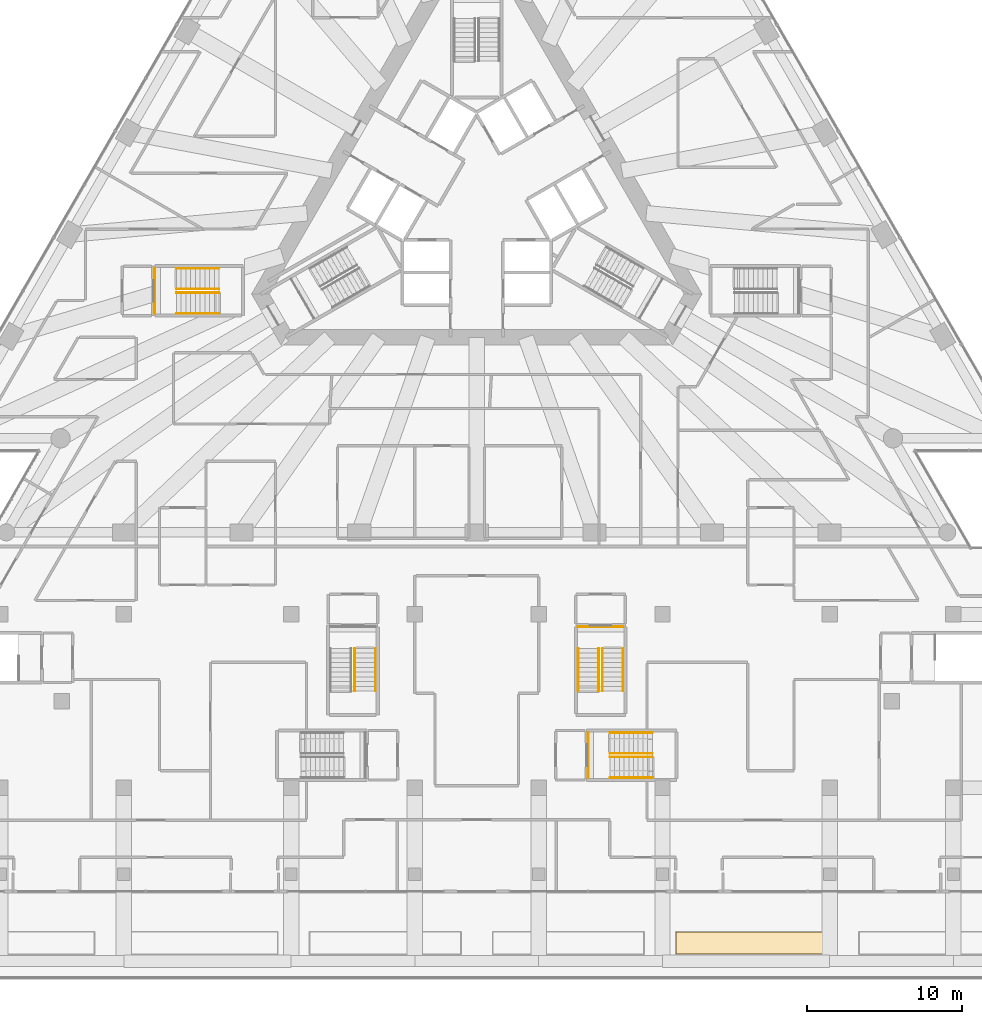
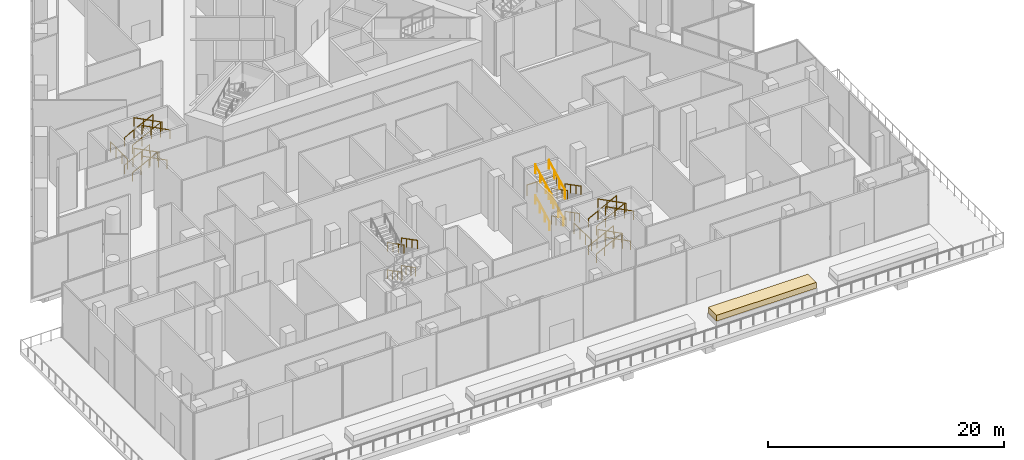
# One storey, part 34 of 36: 31 railings, 1 covering, 4 elements without a shape of their own.
"""IFC4 building model written with IfcOpenShell, lengths in metres."""

from ifc_helpers import new_model, si_unit, direction, frame, origin, origin_2d, place, context, subcontext, project, spatial, polyline, circle, outline, extrude, material, layer, layer_set, type_object, element, aggregate, save


model = new_model("IFC4")

# Units and contexts
model_context = context("Model", 3, precision=1e-05, world=origin(), true_north=direction((0.0, 1.0)))
body_context = subcontext(model_context, "Body", "Model", "MODEL_VIEW")
ifc_project = project(units=[si_unit("LENGTHUNIT", "METRE"), si_unit("AREAUNIT", "SQUARE_METRE"), si_unit("VOLUMEUNIT", "CUBIC_METRE"), si_unit("PLANEANGLEUNIT", "RADIAN"), si_unit("MASSUNIT", "GRAM", prefix="KILO")], contexts=[model_context])

# Site, building, storey
site_placement = place(None, origin())
site = spatial("IfcSite", under=ifc_project, at=site_placement, CompositionType="ELEMENT")
building_placement = place(site_placement, origin())
building = spatial("IfcBuilding", under=site, at=building_placement, Name="Triada Interchange Tower", CompositionType="ELEMENT")
storey_placement = place(building_placement, frame((0.0, 0.0, 8.5)))
storey = spatial("IfcBuildingStorey", under=building, at=storey_placement, Name="L01", CompositionType="ELEMENT", Elevation=8.5)

# Covering
ifc_material_1 = material(Name="Planting soil")
ifc_layer = layer(ifc_material_1, 0.60009765625)
ifc_layer_set = layer_set([ifc_layer], Name="Planting bed 600")
covering_type = type_object("IfcCoveringType", Name="Planting bed 600", PredefinedType="FLOORING", material=ifc_layer_set)
covering_placement = place(storey_placement, frame((0.0, 0.0, 0.449951171875)))
element("IfcCovering", 1, at=covering_placement, inside=storey, type_object=covering_type, Name="Planting bed PLANTER L01 05", PredefinedType="FLOORING", context=body_context, shape_type="SweptSolid", body=[
    extrude(outline(polyline([(12.883056640625, -48.830078125), (22.616943359375, -48.830078125), (22.616943359375, -47.429931640625), (12.883056640625, -47.429931640625), (12.883056640625, -48.830078125)])), origin(), (0.0, 0.0, 1.0), 0.60009765625),
])

# Stair, railing
ifc_material_2 = material(Name="Concrete C35/45", Category="concrete")
stair_type = type_object("IfcStairType", Name="HALF TURN STAIR 1400", PredefinedType="HALF_TURN_STAIR", material=ifc_material_2)
stair_1_placement = place(storey_placement, origin())
stair_1 = element("IfcStair", 2, at=stair_1_placement, inside=storey, type_object=stair_type, Name="Exit stair S01-5", PredefinedType="HALF_TURN_STAIR")
ifc_material_3 = material(Name="Stainless steel 1.4301", Category="steel")
railing_type_1 = type_object("IfcRailingType", Name="STAIR GUARD 1100", PredefinedType="GUARDRAIL", material=ifc_material_3)
railing_1_placement = place(storey_placement, frame((7.199951171875, -34.550048828125, 2.842041015625)))
railing_1 = element("IfcRailing", 3, at=railing_1_placement, type_object=railing_type_1, Name="Guard S01-5 1", PredefinedType="GUARDRAIL", context=body_context, shape_type="SweptSolid", body=[
    extrude(circle(Radius=0.02392578125, at=origin_2d()), frame((0.0, 0.0, 1.076171875), z_axis=(0.0, -1.0, 0.0), x_axis=(1.0, 0.0, 0.0)), (0.0, 0.0, 1.0), 2.89990234375),
    extrude(circle(Radius=0.02099609375, at=origin_2d()), origin(), (0.0, 0.0, 1.0), 1.052001953125),
    extrude(circle(Radius=0.02099609375, at=origin_2d()), frame((0.0, -0.966552734375, 0.0)), (0.0, 0.0, 1.0), 1.052001953125),
    extrude(circle(Radius=0.02099609375, at=origin_2d()), frame((0.0, -1.933349609375, 0.0)), (0.0, 0.0, 1.0), 1.052001953125),
    extrude(circle(Radius=0.02099609375, at=origin_2d()), frame((0.0, -2.89990234375, 0.0)), (0.0, 0.0, 1.0), 1.052001953125),
])

stair_2_placement = place(storey_placement, origin())
stair_2 = element("IfcStair", 4, at=stair_2_placement, inside=storey, type_object=stair_type, Name="Exit stair S01-6", PredefinedType="HALF_TURN_STAIR")
railing_2_placement = place(storey_placement, frame((-20.800048828125, -4.550048828125, 2.842041015625)))
railing_2 = element("IfcRailing", 5, at=railing_2_placement, type_object=railing_type_1, Name="Guard S01-6 1", PredefinedType="GUARDRAIL", context=body_context, shape_type="SweptSolid", body=[
    extrude(circle(Radius=0.02392578125, at=origin_2d()), frame((0.0, 0.0, 1.076171875), z_axis=(0.0, -1.0, 0.0), x_axis=(1.0, 0.0, 0.0)), (0.0, 0.0, 1.0), 2.89990234375),
    extrude(circle(Radius=0.02099609375, at=origin_2d()), origin(), (0.0, 0.0, 1.0), 1.052001953125),
    extrude(circle(Radius=0.02099609375, at=origin_2d()), frame((0.0, -0.966552734375, 0.0)), (0.0, 0.0, 1.0), 1.052001953125),
    extrude(circle(Radius=0.02099609375, at=origin_2d()), frame((0.0, -1.933349609375, 0.0)), (0.0, 0.0, 1.0), 1.052001953125),
    extrude(circle(Radius=0.02099609375, at=origin_2d()), frame((0.0, -2.89990234375, 0.0)), (0.0, 0.0, 1.0), 1.052001953125),
])

stair_3_placement = place(storey_placement, origin())
stair_3 = element("IfcStair", 6, at=stair_3_placement, inside=storey, type_object=stair_type, Name="Exit stair S01-10", PredefinedType="HALF_TURN_STAIR")
railing_3_placement = place(storey_placement, frame((9.449951171875, -27.699951171875, 2.842041015625)))
railing_3 = element("IfcRailing", 7, at=railing_3_placement, type_object=railing_type_1, Name="Guard S01-10 1", PredefinedType="GUARDRAIL", context=body_context, shape_type="SweptSolid", body=[
    extrude(circle(Radius=0.02392578125, at=origin_2d()), frame((0.0, 0.0, 1.076171875), z_axis=(-1.0, 0.0, 0.0), x_axis=(0.0, -1.0, 0.0)), (0.0, 0.0, 1.0), 2.89990234375),
    extrude(circle(Radius=0.02099609375, at=origin_2d()), origin(), (0.0, 0.0, 1.0), 1.052001953125),
    extrude(circle(Radius=0.02099609375, at=origin_2d()), frame((-0.966552734375, 0.0, 0.0)), (0.0, 0.0, 1.0), 1.052001953125),
    extrude(circle(Radius=0.02099609375, at=origin_2d()), frame((-1.933349609375, 0.0, 0.0)), (0.0, 0.0, 1.0), 1.052001953125),
    extrude(circle(Radius=0.02099609375, at=origin_2d()), frame((-2.89990234375, 0.0, 0.0)), (0.0, 0.0, 1.0), 1.052001953125),
])

# Railing
railing_type_2 = type_object("IfcRailingType", Name="STAIR HANDRAIL 900", PredefinedType="HANDRAIL", material=ifc_material_3)
railing_4_placement = place(storey_placement, frame((8.60009765625, -34.550048828125, 0.157958984375)))
railing_4 = element("IfcRailing", 8, at=railing_4_placement, type_object=railing_type_2, Name="Handrail S01-5 1W", PredefinedType="HANDRAIL", context=body_context, shape_type="SweptSolid", body=[
    extrude(circle(Radius=0.02392578125, at=origin_2d()), frame((0.0, 0.0, 0.8759765625), z_axis=(0.888083812785, 0.0, 0.459681565293), x_axis=(0.0, 1.0, 0.0)), (0.0, 0.0, 1.0), 2.747314453125),
    extrude(circle(Radius=0.02099609375, at=origin_2d()), origin(), (0.0, 0.0, 1.0), 0.851806640625),
    extrude(circle(Radius=0.02099609375, at=origin_2d()), frame((0.813232421875, 0.0, 0.4208984375)), (0.0, 0.0, 1.0), 0.851806640625),
    extrude(circle(Radius=0.02099609375, at=origin_2d()), frame((1.626708984375, 0.0, 0.842041015625)), (0.0, 0.0, 1.0), 0.851806640625),
    extrude(circle(Radius=0.02099609375, at=origin_2d()), frame((2.43994140625, 0.0, 1.262939453125)), (0.0, 0.0, 1.0), 0.851806640625),
])

railing_5_placement = place(storey_placement, frame((8.60009765625, -35.8798828125, 0.157958984375)))
railing_5 = element("IfcRailing", 9, at=railing_5_placement, type_object=railing_type_2, Name="Handrail S01-5 1C", PredefinedType="HANDRAIL", context=body_context, shape_type="SweptSolid", body=[
    extrude(circle(Radius=0.02392578125, at=origin_2d()), frame((0.0, 0.0, 0.8759765625), z_axis=(0.888083812785, 0.0, 0.459681565293), x_axis=(0.0, 1.0, 0.0)), (0.0, 0.0, 1.0), 2.747314453125),
    extrude(circle(Radius=0.02099609375, at=origin_2d()), origin(), (0.0, 0.0, 1.0), 0.851806640625),
    extrude(circle(Radius=0.02099609375, at=origin_2d()), frame((0.813232421875, 0.0, 0.4208984375)), (0.0, 0.0, 1.0), 0.851806640625),
    extrude(circle(Radius=0.02099609375, at=origin_2d()), frame((1.626708984375, 0.0, 0.842041015625)), (0.0, 0.0, 1.0), 0.851806640625),
    extrude(circle(Radius=0.02099609375, at=origin_2d()), frame((2.43994140625, 0.0, 1.262939453125)), (0.0, 0.0, 1.0), 0.851806640625),
])

railing_6_placement = place(storey_placement, frame((11.0400390625, -37.449951171875, 1.578857421875)))
railing_6 = element("IfcRailing", 10, at=railing_6_placement, type_object=railing_type_2, Name="Handrail S01-5 2W", PredefinedType="HANDRAIL", context=body_context, shape_type="SweptSolid", body=[
    extrude(circle(Radius=0.02392578125, at=origin_2d()), frame((0.0, 0.0, 0.8759765625), z_axis=(-0.888047534979, 0.0, 0.459751645585), x_axis=(0.0, -1.0, 0.0)), (0.0, 0.0, 1.0), 2.74755859375),
    extrude(circle(Radius=0.02099609375, at=origin_2d()), origin(), (0.0, 0.0, 1.0), 0.851806640625),
    extrude(circle(Radius=0.02099609375, at=origin_2d()), frame((-0.813232421875, 0.0, 0.421142578125)), (0.0, 0.0, 1.0), 0.851806640625),
    extrude(circle(Radius=0.02099609375, at=origin_2d()), frame((-1.626708984375, 0.0, 0.842041015625)), (0.0, 0.0, 1.0), 0.851806640625),
    extrude(circle(Radius=0.02099609375, at=origin_2d()), frame((-2.43994140625, 0.0, 1.26318359375)), (0.0, 0.0, 1.0), 0.851806640625),
])

railing_7_placement = place(storey_placement, frame((11.0400390625, -36.1201171875, 1.578857421875)))
railing_7 = element("IfcRailing", 11, at=railing_7_placement, type_object=railing_type_2, Name="Handrail S01-5 2C", PredefinedType="HANDRAIL", context=body_context, shape_type="SweptSolid", body=[
    extrude(circle(Radius=0.02392578125, at=origin_2d()), frame((0.0, 0.0, 0.8759765625), z_axis=(-0.888047534979, 0.0, 0.459751645585), x_axis=(0.0, -1.0, 0.0)), (0.0, 0.0, 1.0), 2.74755859375),
    extrude(circle(Radius=0.02099609375, at=origin_2d()), origin(), (0.0, 0.0, 1.0), 0.851806640625),
    extrude(circle(Radius=0.02099609375, at=origin_2d()), frame((-0.813232421875, 0.0, 0.421142578125)), (0.0, 0.0, 1.0), 0.851806640625),
    extrude(circle(Radius=0.02099609375, at=origin_2d()), frame((-1.626708984375, 0.0, 0.842041015625)), (0.0, 0.0, 1.0), 0.851806640625),
    extrude(circle(Radius=0.02099609375, at=origin_2d()), frame((-2.43994140625, 0.0, 1.26318359375)), (0.0, 0.0, 1.0), 0.851806640625),
])

railing_8_placement = place(storey_placement, frame((8.60009765625, -34.550048828125, 3.0)))
railing_8 = element("IfcRailing", 12, at=railing_8_placement, type_object=railing_type_2, Name="Handrail S01-5 3W", PredefinedType="HANDRAIL", context=body_context, shape_type="SweptSolid", body=[
    extrude(circle(Radius=0.02392578125, at=origin_2d()), frame((0.0, 0.0, 0.8759765625), z_axis=(0.888067547299, 0.0, 0.459712988107), x_axis=(0.0, 1.0, 0.0)), (0.0, 0.0, 1.0), 3.0908203125),
    extrude(circle(Radius=0.02099609375, at=origin_2d()), origin(), (0.0, 0.0, 1.0), 0.851806640625),
    extrude(circle(Radius=0.02099609375, at=origin_2d()), frame((0.9150390625, 0.0, 0.4736328125)), (0.0, 0.0, 1.0), 0.851806640625),
    extrude(circle(Radius=0.02099609375, at=origin_2d()), frame((1.829833984375, 0.0, 0.947265625)), (0.0, 0.0, 1.0), 0.851806640625),
    extrude(circle(Radius=0.02099609375, at=origin_2d()), frame((2.744873046875, 0.0, 1.4208984375)), (0.0, 0.0, 1.0), 0.851806640625),
])

railing_9_placement = place(storey_placement, frame((8.60009765625, -35.8798828125, 3.0)))
railing_9 = element("IfcRailing", 13, at=railing_9_placement, type_object=railing_type_2, Name="Handrail S01-5 3C", PredefinedType="HANDRAIL", context=body_context, shape_type="SweptSolid", body=[
    extrude(circle(Radius=0.02392578125, at=origin_2d()), frame((0.0, 0.0, 0.8759765625), z_axis=(0.888067547299, 0.0, 0.459712988107), x_axis=(0.0, 1.0, 0.0)), (0.0, 0.0, 1.0), 3.0908203125),
    extrude(circle(Radius=0.02099609375, at=origin_2d()), origin(), (0.0, 0.0, 1.0), 0.851806640625),
    extrude(circle(Radius=0.02099609375, at=origin_2d()), frame((0.9150390625, 0.0, 0.4736328125)), (0.0, 0.0, 1.0), 0.851806640625),
    extrude(circle(Radius=0.02099609375, at=origin_2d()), frame((1.829833984375, 0.0, 0.947265625)), (0.0, 0.0, 1.0), 0.851806640625),
    extrude(circle(Radius=0.02099609375, at=origin_2d()), frame((2.744873046875, 0.0, 1.4208984375)), (0.0, 0.0, 1.0), 0.851806640625),
])

railing_10_placement = place(storey_placement, frame((11.344970703125, -37.449951171875, 4.578857421875)))
railing_10 = element("IfcRailing", 14, at=railing_10_placement, type_object=railing_type_2, Name="Handrail S01-5 4W", PredefinedType="HANDRAIL", context=body_context, shape_type="SweptSolid", body=[
    extrude(circle(Radius=0.02392578125, at=origin_2d()), frame((0.0, 0.0, 0.8759765625), z_axis=(-0.888067547299, 0.0, 0.459712988107), x_axis=(0.0, -1.0, 0.0)), (0.0, 0.0, 1.0), 3.0908203125),
    extrude(circle(Radius=0.02099609375, at=origin_2d()), origin(), (0.0, 0.0, 1.0), 0.851806640625),
    extrude(circle(Radius=0.02099609375, at=origin_2d()), frame((-0.9150390625, 0.0, 0.4736328125)), (0.0, 0.0, 1.0), 0.851806640625),
    extrude(circle(Radius=0.02099609375, at=origin_2d()), frame((-1.829833984375, 0.0, 0.947265625)), (0.0, 0.0, 1.0), 0.851806640625),
    extrude(circle(Radius=0.02099609375, at=origin_2d()), frame((-2.744873046875, 0.0, 1.4208984375)), (0.0, 0.0, 1.0), 0.851806640625),
])

railing_11_placement = place(storey_placement, frame((11.344970703125, -36.1201171875, 4.578857421875)))
railing_11 = element("IfcRailing", 15, at=railing_11_placement, type_object=railing_type_2, Name="Handrail S01-5 4C", PredefinedType="HANDRAIL", context=body_context, shape_type="SweptSolid", body=[
    extrude(circle(Radius=0.02392578125, at=origin_2d()), frame((0.0, 0.0, 0.8759765625), z_axis=(-0.888067547299, 0.0, 0.459712988107), x_axis=(0.0, -1.0, 0.0)), (0.0, 0.0, 1.0), 3.0908203125),
    extrude(circle(Radius=0.02099609375, at=origin_2d()), origin(), (0.0, 0.0, 1.0), 0.851806640625),
    extrude(circle(Radius=0.02099609375, at=origin_2d()), frame((-0.9150390625, 0.0, 0.4736328125)), (0.0, 0.0, 1.0), 0.851806640625),
    extrude(circle(Radius=0.02099609375, at=origin_2d()), frame((-1.829833984375, 0.0, 0.947265625)), (0.0, 0.0, 1.0), 0.851806640625),
    extrude(circle(Radius=0.02099609375, at=origin_2d()), frame((-2.744873046875, 0.0, 1.4208984375)), (0.0, 0.0, 1.0), 0.851806640625),
])

aggregate(stair_1, [railing_4, railing_5, railing_6, railing_7, railing_8, railing_9, railing_10, railing_11, railing_1])

railing_12_placement = place(storey_placement, frame((-19.39990234375, -4.550048828125, 0.157958984375)))
railing_12 = element("IfcRailing", 16, at=railing_12_placement, type_object=railing_type_2, Name="Handrail S01-6 1W", PredefinedType="HANDRAIL", context=body_context, shape_type="SweptSolid", body=[
    extrude(circle(Radius=0.02392578125, at=origin_2d()), frame((0.0, 0.0, 0.8759765625), z_axis=(0.888083812785, 0.0, 0.459681565293), x_axis=(0.0, 1.0, 0.0)), (0.0, 0.0, 1.0), 2.747314453125),
    extrude(circle(Radius=0.02099609375, at=origin_2d()), origin(), (0.0, 0.0, 1.0), 0.851806640625),
    extrude(circle(Radius=0.02099609375, at=origin_2d()), frame((0.813232421875, 0.0, 0.4208984375)), (0.0, 0.0, 1.0), 0.851806640625),
    extrude(circle(Radius=0.02099609375, at=origin_2d()), frame((1.626708984375, 0.0, 0.842041015625)), (0.0, 0.0, 1.0), 0.851806640625),
    extrude(circle(Radius=0.02099609375, at=origin_2d()), frame((2.43994140625, 0.0, 1.262939453125)), (0.0, 0.0, 1.0), 0.851806640625),
])

railing_13_placement = place(storey_placement, frame((-19.39990234375, -5.8798828125, 0.157958984375)))
railing_13 = element("IfcRailing", 17, at=railing_13_placement, type_object=railing_type_2, Name="Handrail S01-6 1C", PredefinedType="HANDRAIL", context=body_context, shape_type="SweptSolid", body=[
    extrude(circle(Radius=0.02392578125, at=origin_2d()), frame((0.0, 0.0, 0.8759765625), z_axis=(0.888083812785, 0.0, 0.459681565293), x_axis=(0.0, 1.0, 0.0)), (0.0, 0.0, 1.0), 2.747314453125),
    extrude(circle(Radius=0.02099609375, at=origin_2d()), origin(), (0.0, 0.0, 1.0), 0.851806640625),
    extrude(circle(Radius=0.02099609375, at=origin_2d()), frame((0.813232421875, 0.0, 0.4208984375)), (0.0, 0.0, 1.0), 0.851806640625),
    extrude(circle(Radius=0.02099609375, at=origin_2d()), frame((1.626708984375, 0.0, 0.842041015625)), (0.0, 0.0, 1.0), 0.851806640625),
    extrude(circle(Radius=0.02099609375, at=origin_2d()), frame((2.43994140625, 0.0, 1.262939453125)), (0.0, 0.0, 1.0), 0.851806640625),
])

railing_14_placement = place(storey_placement, frame((-16.9599609375, -7.449951171875, 1.578857421875)))
railing_14 = element("IfcRailing", 18, at=railing_14_placement, type_object=railing_type_2, Name="Handrail S01-6 2W", PredefinedType="HANDRAIL", context=body_context, shape_type="SweptSolid", body=[
    extrude(circle(Radius=0.02392578125, at=origin_2d()), frame((0.0, 0.0, 0.8759765625), z_axis=(-0.888047534979, 0.0, 0.459751645585), x_axis=(0.0, -1.0, 0.0)), (0.0, 0.0, 1.0), 2.74755859375),
    extrude(circle(Radius=0.02099609375, at=origin_2d()), origin(), (0.0, 0.0, 1.0), 0.851806640625),
    extrude(circle(Radius=0.02099609375, at=origin_2d()), frame((-0.813232421875, 0.0, 0.421142578125)), (0.0, 0.0, 1.0), 0.851806640625),
    extrude(circle(Radius=0.02099609375, at=origin_2d()), frame((-1.626708984375, 0.0, 0.842041015625)), (0.0, 0.0, 1.0), 0.851806640625),
    extrude(circle(Radius=0.02099609375, at=origin_2d()), frame((-2.43994140625, 0.0, 1.26318359375)), (0.0, 0.0, 1.0), 0.851806640625),
])

railing_15_placement = place(storey_placement, frame((-16.9599609375, -6.1201171875, 1.578857421875)))
railing_15 = element("IfcRailing", 19, at=railing_15_placement, type_object=railing_type_2, Name="Handrail S01-6 2C", PredefinedType="HANDRAIL", context=body_context, shape_type="SweptSolid", body=[
    extrude(circle(Radius=0.02392578125, at=origin_2d()), frame((0.0, 0.0, 0.8759765625), z_axis=(-0.888047534979, 0.0, 0.459751645585), x_axis=(0.0, -1.0, 0.0)), (0.0, 0.0, 1.0), 2.74755859375),
    extrude(circle(Radius=0.02099609375, at=origin_2d()), origin(), (0.0, 0.0, 1.0), 0.851806640625),
    extrude(circle(Radius=0.02099609375, at=origin_2d()), frame((-0.813232421875, 0.0, 0.421142578125)), (0.0, 0.0, 1.0), 0.851806640625),
    extrude(circle(Radius=0.02099609375, at=origin_2d()), frame((-1.626708984375, 0.0, 0.842041015625)), (0.0, 0.0, 1.0), 0.851806640625),
    extrude(circle(Radius=0.02099609375, at=origin_2d()), frame((-2.43994140625, 0.0, 1.26318359375)), (0.0, 0.0, 1.0), 0.851806640625),
])

railing_16_placement = place(storey_placement, frame((-19.39990234375, -4.550048828125, 3.0)))
railing_16 = element("IfcRailing", 20, at=railing_16_placement, type_object=railing_type_2, Name="Handrail S01-6 3W", PredefinedType="HANDRAIL", context=body_context, shape_type="SweptSolid", body=[
    extrude(circle(Radius=0.02392578125, at=origin_2d()), frame((0.0, 0.0, 0.8759765625), z_axis=(0.888067547299, 0.0, 0.459712988107), x_axis=(0.0, 1.0, 0.0)), (0.0, 0.0, 1.0), 3.0908203125),
    extrude(circle(Radius=0.02099609375, at=origin_2d()), origin(), (0.0, 0.0, 1.0), 0.851806640625),
    extrude(circle(Radius=0.02099609375, at=origin_2d()), frame((0.9150390625, 0.0, 0.4736328125)), (0.0, 0.0, 1.0), 0.851806640625),
    extrude(circle(Radius=0.02099609375, at=origin_2d()), frame((1.829833984375, 0.0, 0.947265625)), (0.0, 0.0, 1.0), 0.851806640625),
    extrude(circle(Radius=0.02099609375, at=origin_2d()), frame((2.744873046875, 0.0, 1.4208984375)), (0.0, 0.0, 1.0), 0.851806640625),
])

railing_17_placement = place(storey_placement, frame((-19.39990234375, -5.8798828125, 3.0)))
railing_17 = element("IfcRailing", 21, at=railing_17_placement, type_object=railing_type_2, Name="Handrail S01-6 3C", PredefinedType="HANDRAIL", context=body_context, shape_type="SweptSolid", body=[
    extrude(circle(Radius=0.02392578125, at=origin_2d()), frame((0.0, 0.0, 0.8759765625), z_axis=(0.888067547299, 0.0, 0.459712988107), x_axis=(0.0, 1.0, 0.0)), (0.0, 0.0, 1.0), 3.0908203125),
    extrude(circle(Radius=0.02099609375, at=origin_2d()), origin(), (0.0, 0.0, 1.0), 0.851806640625),
    extrude(circle(Radius=0.02099609375, at=origin_2d()), frame((0.9150390625, 0.0, 0.4736328125)), (0.0, 0.0, 1.0), 0.851806640625),
    extrude(circle(Radius=0.02099609375, at=origin_2d()), frame((1.829833984375, 0.0, 0.947265625)), (0.0, 0.0, 1.0), 0.851806640625),
    extrude(circle(Radius=0.02099609375, at=origin_2d()), frame((2.744873046875, 0.0, 1.4208984375)), (0.0, 0.0, 1.0), 0.851806640625),
])

railing_18_placement = place(storey_placement, frame((-16.655029296875, -7.449951171875, 4.578857421875)))
railing_18 = element("IfcRailing", 22, at=railing_18_placement, type_object=railing_type_2, Name="Handrail S01-6 4W", PredefinedType="HANDRAIL", context=body_context, shape_type="SweptSolid", body=[
    extrude(circle(Radius=0.02392578125, at=origin_2d()), frame((0.0, 0.0, 0.8759765625), z_axis=(-0.888067547299, 0.0, 0.459712988107), x_axis=(0.0, -1.0, 0.0)), (0.0, 0.0, 1.0), 3.0908203125),
    extrude(circle(Radius=0.02099609375, at=origin_2d()), origin(), (0.0, 0.0, 1.0), 0.851806640625),
    extrude(circle(Radius=0.02099609375, at=origin_2d()), frame((-0.9150390625, 0.0, 0.4736328125)), (0.0, 0.0, 1.0), 0.851806640625),
    extrude(circle(Radius=0.02099609375, at=origin_2d()), frame((-1.829833984375, 0.0, 0.947265625)), (0.0, 0.0, 1.0), 0.851806640625),
    extrude(circle(Radius=0.02099609375, at=origin_2d()), frame((-2.744873046875, 0.0, 1.4208984375)), (0.0, 0.0, 1.0), 0.851806640625),
])

railing_19_placement = place(storey_placement, frame((-16.655029296875, -6.1201171875, 4.578857421875)))
railing_19 = element("IfcRailing", 23, at=railing_19_placement, type_object=railing_type_2, Name="Handrail S01-6 4C", PredefinedType="HANDRAIL", context=body_context, shape_type="SweptSolid", body=[
    extrude(circle(Radius=0.02392578125, at=origin_2d()), frame((0.0, 0.0, 0.8759765625), z_axis=(-0.888067547299, 0.0, 0.459712988107), x_axis=(0.0, -1.0, 0.0)), (0.0, 0.0, 1.0), 3.0908203125),
    extrude(circle(Radius=0.02099609375, at=origin_2d()), origin(), (0.0, 0.0, 1.0), 0.851806640625),
    extrude(circle(Radius=0.02099609375, at=origin_2d()), frame((-0.9150390625, 0.0, 0.4736328125)), (0.0, 0.0, 1.0), 0.851806640625),
    extrude(circle(Radius=0.02099609375, at=origin_2d()), frame((-1.829833984375, 0.0, 0.947265625)), (0.0, 0.0, 1.0), 0.851806640625),
    extrude(circle(Radius=0.02099609375, at=origin_2d()), frame((-2.744873046875, 0.0, 1.4208984375)), (0.0, 0.0, 1.0), 0.851806640625),
])

aggregate(stair_2, [railing_12, railing_13, railing_14, railing_15, railing_16, railing_17, railing_18, railing_19, railing_2])

railing_20_placement = place(storey_placement, frame((9.449951171875, -29.10009765625, 0.157958984375)))
railing_20 = element("IfcRailing", 24, at=railing_20_placement, type_object=railing_type_2, Name="Handrail S01-10 1W", PredefinedType="HANDRAIL", context=body_context, shape_type="SweptSolid", body=[
    extrude(circle(Radius=0.02392578125, at=origin_2d()), frame((0.0, 0.0, 0.8759765625), z_axis=(0.0, -0.888083812785, 0.459681565293), x_axis=(1.0, 0.0, 0.0)), (0.0, 0.0, 1.0), 2.747314453125),
    extrude(circle(Radius=0.02099609375, at=origin_2d()), origin(), (0.0, 0.0, 1.0), 0.851806640625),
    extrude(circle(Radius=0.02099609375, at=origin_2d()), frame((0.0, -0.813232421875, 0.4208984375)), (0.0, 0.0, 1.0), 0.851806640625),
    extrude(circle(Radius=0.02099609375, at=origin_2d()), frame((0.0, -1.626708984375, 0.842041015625)), (0.0, 0.0, 1.0), 0.851806640625),
    extrude(circle(Radius=0.02099609375, at=origin_2d()), frame((0.0, -2.43994140625, 1.262939453125)), (0.0, 0.0, 1.0), 0.851806640625),
])

railing_21_placement = place(storey_placement, frame((8.1201171875, -29.10009765625, 0.157958984375)))
railing_21 = element("IfcRailing", 25, at=railing_21_placement, type_object=railing_type_2, Name="Handrail S01-10 1C", PredefinedType="HANDRAIL", context=body_context, shape_type="SweptSolid", body=[
    extrude(circle(Radius=0.02392578125, at=origin_2d()), frame((0.0, 0.0, 0.8759765625), z_axis=(0.0, -0.888083812785, 0.459681565293), x_axis=(1.0, 0.0, 0.0)), (0.0, 0.0, 1.0), 2.747314453125),
    extrude(circle(Radius=0.02099609375, at=origin_2d()), origin(), (0.0, 0.0, 1.0), 0.851806640625),
    extrude(circle(Radius=0.02099609375, at=origin_2d()), frame((0.0, -0.813232421875, 0.4208984375)), (0.0, 0.0, 1.0), 0.851806640625),
    extrude(circle(Radius=0.02099609375, at=origin_2d()), frame((0.0, -1.626708984375, 0.842041015625)), (0.0, 0.0, 1.0), 0.851806640625),
    extrude(circle(Radius=0.02099609375, at=origin_2d()), frame((0.0, -2.43994140625, 1.262939453125)), (0.0, 0.0, 1.0), 0.851806640625),
])

railing_22_placement = place(storey_placement, frame((6.550048828125, -31.5400390625, 1.578857421875)))
railing_22 = element("IfcRailing", 26, at=railing_22_placement, type_object=railing_type_2, Name="Handrail S01-10 2W", PredefinedType="HANDRAIL", context=body_context, shape_type="SweptSolid", body=[
    extrude(circle(Radius=0.02392578125, at=origin_2d()), frame((0.0, 0.0, 0.8759765625), z_axis=(0.0, 0.888047534979, 0.459751645585), x_axis=(-1.0, 0.0, 0.0)), (0.0, 0.0, 1.0), 2.74755859375),
    extrude(circle(Radius=0.02099609375, at=origin_2d()), origin(), (0.0, 0.0, 1.0), 0.851806640625),
    extrude(circle(Radius=0.02099609375, at=origin_2d()), frame((0.0, 0.813232421875, 0.421142578125)), (0.0, 0.0, 1.0), 0.851806640625),
    extrude(circle(Radius=0.02099609375, at=origin_2d()), frame((0.0, 1.626708984375, 0.842041015625)), (0.0, 0.0, 1.0), 0.851806640625),
    extrude(circle(Radius=0.02099609375, at=origin_2d()), frame((0.0, 2.43994140625, 1.26318359375)), (0.0, 0.0, 1.0), 0.851806640625),
])

railing_23_placement = place(storey_placement, frame((7.8798828125, -31.5400390625, 1.578857421875)))
railing_23 = element("IfcRailing", 27, at=railing_23_placement, type_object=railing_type_2, Name="Handrail S01-10 2C", PredefinedType="HANDRAIL", context=body_context, shape_type="SweptSolid", body=[
    extrude(circle(Radius=0.02392578125, at=origin_2d()), frame((0.0, 0.0, 0.8759765625), z_axis=(0.0, 0.888047534979, 0.459751645585), x_axis=(-1.0, 0.0, 0.0)), (0.0, 0.0, 1.0), 2.74755859375),
    extrude(circle(Radius=0.02099609375, at=origin_2d()), origin(), (0.0, 0.0, 1.0), 0.851806640625),
    extrude(circle(Radius=0.02099609375, at=origin_2d()), frame((0.0, 0.813232421875, 0.421142578125)), (0.0, 0.0, 1.0), 0.851806640625),
    extrude(circle(Radius=0.02099609375, at=origin_2d()), frame((0.0, 1.626708984375, 0.842041015625)), (0.0, 0.0, 1.0), 0.851806640625),
    extrude(circle(Radius=0.02099609375, at=origin_2d()), frame((0.0, 2.43994140625, 1.26318359375)), (0.0, 0.0, 1.0), 0.851806640625),
])

railing_24_placement = place(storey_placement, frame((9.449951171875, -29.10009765625, 3.0)))
railing_24 = element("IfcRailing", 28, at=railing_24_placement, type_object=railing_type_2, Name="Handrail S01-10 3W", PredefinedType="HANDRAIL", context=body_context, shape_type="SweptSolid", body=[
    extrude(circle(Radius=0.02392578125, at=origin_2d()), frame((0.0, 0.0, 0.8759765625), z_axis=(0.0, -0.888067547299, 0.459712988107), x_axis=(1.0, 0.0, 0.0)), (0.0, 0.0, 1.0), 3.0908203125),
    extrude(circle(Radius=0.02099609375, at=origin_2d()), origin(), (0.0, 0.0, 1.0), 0.851806640625),
    extrude(circle(Radius=0.02099609375, at=origin_2d()), frame((0.0, -0.9150390625, 0.4736328125)), (0.0, 0.0, 1.0), 0.851806640625),
    extrude(circle(Radius=0.02099609375, at=origin_2d()), frame((0.0, -1.829833984375, 0.947265625)), (0.0, 0.0, 1.0), 0.851806640625),
    extrude(circle(Radius=0.02099609375, at=origin_2d()), frame((0.0, -2.744873046875, 1.4208984375)), (0.0, 0.0, 1.0), 0.851806640625),
])

railing_25_placement = place(storey_placement, frame((8.1201171875, -29.10009765625, 3.0)))
railing_25 = element("IfcRailing", 29, at=railing_25_placement, type_object=railing_type_2, Name="Handrail S01-10 3C", PredefinedType="HANDRAIL", context=body_context, shape_type="SweptSolid", body=[
    extrude(circle(Radius=0.02392578125, at=origin_2d()), frame((0.0, 0.0, 0.8759765625), z_axis=(0.0, -0.888067547299, 0.459712988107), x_axis=(1.0, 0.0, 0.0)), (0.0, 0.0, 1.0), 3.0908203125),
    extrude(circle(Radius=0.02099609375, at=origin_2d()), origin(), (0.0, 0.0, 1.0), 0.851806640625),
    extrude(circle(Radius=0.02099609375, at=origin_2d()), frame((0.0, -0.9150390625, 0.4736328125)), (0.0, 0.0, 1.0), 0.851806640625),
    extrude(circle(Radius=0.02099609375, at=origin_2d()), frame((0.0, -1.829833984375, 0.947265625)), (0.0, 0.0, 1.0), 0.851806640625),
    extrude(circle(Radius=0.02099609375, at=origin_2d()), frame((0.0, -2.744873046875, 1.4208984375)), (0.0, 0.0, 1.0), 0.851806640625),
])

railing_26_placement = place(storey_placement, frame((6.550048828125, -31.844970703125, 4.578857421875)))
railing_26 = element("IfcRailing", 30, at=railing_26_placement, type_object=railing_type_2, Name="Handrail S01-10 4W", PredefinedType="HANDRAIL", context=body_context, shape_type="SweptSolid", body=[
    extrude(circle(Radius=0.02392578125, at=origin_2d()), frame((0.0, 0.0, 0.8759765625), z_axis=(0.0, 0.888067547299, 0.459712988107), x_axis=(-1.0, 0.0, 0.0)), (0.0, 0.0, 1.0), 3.0908203125),
    extrude(circle(Radius=0.02099609375, at=origin_2d()), origin(), (0.0, 0.0, 1.0), 0.851806640625),
    extrude(circle(Radius=0.02099609375, at=origin_2d()), frame((0.0, 0.9150390625, 0.4736328125)), (0.0, 0.0, 1.0), 0.851806640625),
    extrude(circle(Radius=0.02099609375, at=origin_2d()), frame((0.0, 1.829833984375, 0.947265625)), (0.0, 0.0, 1.0), 0.851806640625),
    extrude(circle(Radius=0.02099609375, at=origin_2d()), frame((0.0, 2.744873046875, 1.4208984375)), (0.0, 0.0, 1.0), 0.851806640625),
])

railing_27_placement = place(storey_placement, frame((7.8798828125, -31.844970703125, 4.578857421875)))
railing_27 = element("IfcRailing", 31, at=railing_27_placement, type_object=railing_type_2, Name="Handrail S01-10 4C", PredefinedType="HANDRAIL", context=body_context, shape_type="SweptSolid", body=[
    extrude(circle(Radius=0.02392578125, at=origin_2d()), frame((0.0, 0.0, 0.8759765625), z_axis=(0.0, 0.888067547299, 0.459712988107), x_axis=(-1.0, 0.0, 0.0)), (0.0, 0.0, 1.0), 3.0908203125),
    extrude(circle(Radius=0.02099609375, at=origin_2d()), origin(), (0.0, 0.0, 1.0), 0.851806640625),
    extrude(circle(Radius=0.02099609375, at=origin_2d()), frame((0.0, 0.9150390625, 0.4736328125)), (0.0, 0.0, 1.0), 0.851806640625),
    extrude(circle(Radius=0.02099609375, at=origin_2d()), frame((0.0, 1.829833984375, 0.947265625)), (0.0, 0.0, 1.0), 0.851806640625),
    extrude(circle(Radius=0.02099609375, at=origin_2d()), frame((0.0, 2.744873046875, 1.4208984375)), (0.0, 0.0, 1.0), 0.851806640625),
])

aggregate(stair_3, [railing_20, railing_21, railing_22, railing_23, railing_24, railing_25, railing_26, railing_27, railing_3])

# Stair, railings
stair_4_placement = place(storey_placement, origin())
stair_4 = element("IfcStair", 32, at=stair_4_placement, inside=storey, type_object=stair_type, Name="Exit stair S01-11", PredefinedType="HALF_TURN_STAIR")
railing_28_placement = place(storey_placement, frame((-6.550048828125, -29.10009765625, 0.157958984375)))
railing_28 = element("IfcRailing", 33, at=railing_28_placement, type_object=railing_type_2, Name="Handrail S01-11 1W", PredefinedType="HANDRAIL", context=body_context, shape_type="SweptSolid", body=[
    extrude(circle(Radius=0.02392578125, at=origin_2d()), frame((0.0, 0.0, 0.8759765625), z_axis=(0.0, -0.888083812785, 0.459681565293), x_axis=(1.0, 0.0, 0.0)), (0.0, 0.0, 1.0), 2.747314453125),
    extrude(circle(Radius=0.02099609375, at=origin_2d()), origin(), (0.0, 0.0, 1.0), 0.851806640625),
    extrude(circle(Radius=0.02099609375, at=origin_2d()), frame((0.0, -0.813232421875, 0.4208984375)), (0.0, 0.0, 1.0), 0.851806640625),
    extrude(circle(Radius=0.02099609375, at=origin_2d()), frame((0.0, -1.626708984375, 0.842041015625)), (0.0, 0.0, 1.0), 0.851806640625),
    extrude(circle(Radius=0.02099609375, at=origin_2d()), frame((0.0, -2.43994140625, 1.262939453125)), (0.0, 0.0, 1.0), 0.851806640625),
])
railing_29_placement = place(storey_placement, frame((-7.8798828125, -29.10009765625, 0.157958984375)))
railing_29 = element("IfcRailing", 34, at=railing_29_placement, type_object=railing_type_2, Name="Handrail S01-11 1C", PredefinedType="HANDRAIL", context=body_context, shape_type="SweptSolid", body=[
    extrude(circle(Radius=0.02392578125, at=origin_2d()), frame((0.0, 0.0, 0.8759765625), z_axis=(0.0, -0.888083812785, 0.459681565293), x_axis=(1.0, 0.0, 0.0)), (0.0, 0.0, 1.0), 2.747314453125),
    extrude(circle(Radius=0.02099609375, at=origin_2d()), origin(), (0.0, 0.0, 1.0), 0.851806640625),
    extrude(circle(Radius=0.02099609375, at=origin_2d()), frame((0.0, -0.813232421875, 0.4208984375)), (0.0, 0.0, 1.0), 0.851806640625),
    extrude(circle(Radius=0.02099609375, at=origin_2d()), frame((0.0, -1.626708984375, 0.842041015625)), (0.0, 0.0, 1.0), 0.851806640625),
    extrude(circle(Radius=0.02099609375, at=origin_2d()), frame((0.0, -2.43994140625, 1.262939453125)), (0.0, 0.0, 1.0), 0.851806640625),
])
railing_30_placement = place(storey_placement, frame((-6.550048828125, -29.10009765625, 3.0)))
railing_30 = element("IfcRailing", 35, at=railing_30_placement, type_object=railing_type_2, Name="Handrail S01-11 3W", PredefinedType="HANDRAIL", context=body_context, shape_type="SweptSolid", body=[
    extrude(circle(Radius=0.02392578125, at=origin_2d()), frame((0.0, 0.0, 0.8759765625), z_axis=(0.0, -0.888067547299, 0.459712988107), x_axis=(1.0, 0.0, 0.0)), (0.0, 0.0, 1.0), 3.0908203125),
    extrude(circle(Radius=0.02099609375, at=origin_2d()), origin(), (0.0, 0.0, 1.0), 0.851806640625),
    extrude(circle(Radius=0.02099609375, at=origin_2d()), frame((0.0, -0.9150390625, 0.4736328125)), (0.0, 0.0, 1.0), 0.851806640625),
    extrude(circle(Radius=0.02099609375, at=origin_2d()), frame((0.0, -1.829833984375, 0.947265625)), (0.0, 0.0, 1.0), 0.851806640625),
    extrude(circle(Radius=0.02099609375, at=origin_2d()), frame((0.0, -2.744873046875, 1.4208984375)), (0.0, 0.0, 1.0), 0.851806640625),
])
railing_31_placement = place(storey_placement, frame((-7.8798828125, -29.10009765625, 3.0)))
railing_31 = element("IfcRailing", 36, at=railing_31_placement, type_object=railing_type_2, Name="Handrail S01-11 3C", PredefinedType="HANDRAIL", context=body_context, shape_type="SweptSolid", body=[
    extrude(circle(Radius=0.02392578125, at=origin_2d()), frame((0.0, 0.0, 0.8759765625), z_axis=(0.0, -0.888067547299, 0.459712988107), x_axis=(1.0, 0.0, 0.0)), (0.0, 0.0, 1.0), 3.0908203125),
    extrude(circle(Radius=0.02099609375, at=origin_2d()), origin(), (0.0, 0.0, 1.0), 0.851806640625),
    extrude(circle(Radius=0.02099609375, at=origin_2d()), frame((0.0, -0.9150390625, 0.4736328125)), (0.0, 0.0, 1.0), 0.851806640625),
    extrude(circle(Radius=0.02099609375, at=origin_2d()), frame((0.0, -1.829833984375, 0.947265625)), (0.0, 0.0, 1.0), 0.851806640625),
    extrude(circle(Radius=0.02099609375, at=origin_2d()), frame((0.0, -2.744873046875, 1.4208984375)), (0.0, 0.0, 1.0), 0.851806640625),
])
aggregate(stair_4, [railing_28, railing_29, railing_30, railing_31])

save(model, "model.ifc")
